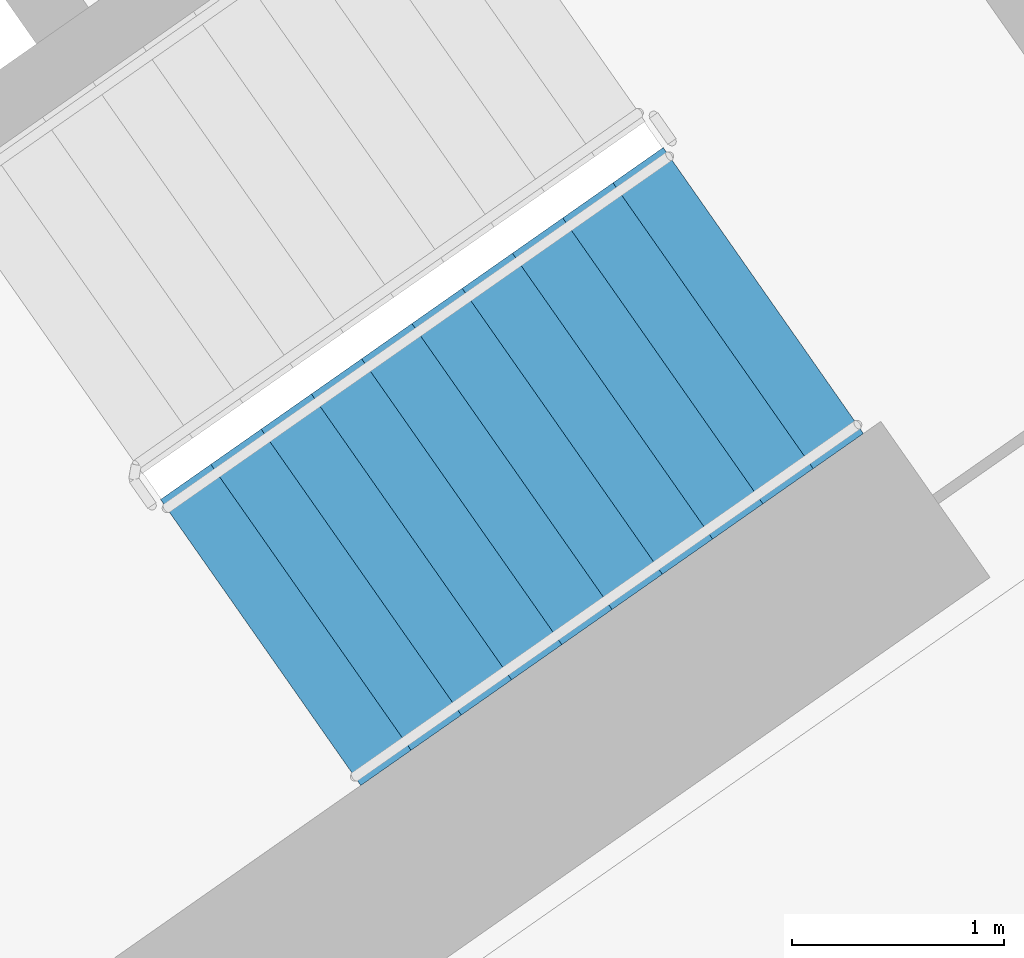
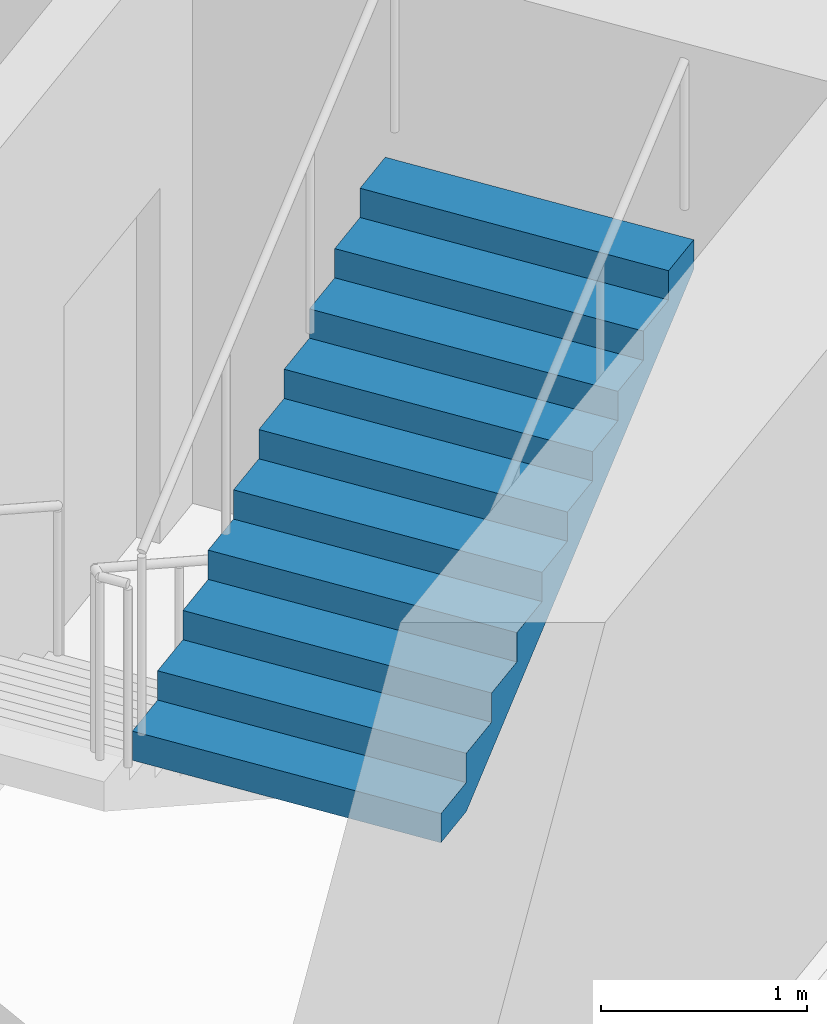
# One storey, part 16 of 29: 1 stair flight, 1 element without a shape of its own.
"""IFC4 building model written with IfcOpenShell, lengths in metres."""

from ifc_helpers import new_model, si_unit, direction, frame, origin, place, context, subcontext, project, spatial, faceted_brep, material, type_object, element, aggregate, save


model = new_model("IFC4")

# Units and contexts
model_context = context("Model", 3, precision=1e-05, world=origin(), true_north=direction((0.0, 1.0)))
body_context = subcontext(model_context, "Body", "Model", "MODEL_VIEW")
ifc_project = project(units=[si_unit("LENGTHUNIT", "METRE"), si_unit("AREAUNIT", "SQUARE_METRE"), si_unit("VOLUMEUNIT", "CUBIC_METRE"), si_unit("PLANEANGLEUNIT", "RADIAN"), si_unit("MASSUNIT", "GRAM", prefix="KILO")], contexts=[model_context])

# Site, building, storey
site_placement = place(None, origin())
site = spatial("IfcSite", under=ifc_project, at=site_placement, CompositionType="ELEMENT")
building_placement = place(site_placement, origin())
building = spatial("IfcBuilding", under=site, at=building_placement, Name="Qamariyya Broadcast Tower", CompositionType="ELEMENT")
storey_placement = place(building_placement, frame((0.0, 0.0, 113.89990234375)))
storey = spatial("IfcBuildingStorey", under=building, at=storey_placement, Name="L25", CompositionType="ELEMENT", Elevation=113.89990234375)

# Stair, stair flight
ifc_material = material(Name="Concrete C50/60", Category="concrete")
stair_type = type_object("IfcStairType", Name="Exit stair 22 risers of 173 mm", PredefinedType="HALF_TURN_STAIR", material=ifc_material)
stair_placement = place(storey_placement, origin())
stair = element("IfcStair", 1, at=stair_placement, inside=storey, type_object=stair_type, Name="L25 Stair E1", PredefinedType="HALF_TURN_STAIR")
stair_flight_type = type_object("IfcStairFlightType", Name="Exit stair flight 11 risers of 173 mm", PredefinedType="STRAIGHT", material=ifc_material)
stair_flight_placement = place(storey_placement, frame((44.693359375, -58.64599609375, 1.900146484375), z_axis=(0.0, 0.0, 1.0), x_axis=(0.819152044289, 0.573576436351, 0.0)))
stair_flight = element("IfcStairFlight", 2, at=stair_flight_placement, type_object=stair_flight_type, Name="ST-E1 flight 2", NumberOfRisers=11, NumberOfTreads=10, PredefinedType="STRAIGHT", RiserHeight=0.172727273, TreadLength=0.29, context=body_context, shape_type="Brep", body=[
    faceted_brep([(0.0, 0.824951171875, 0.0), (0.0, 0.824951171875, 0.172607421875), (0.2900390625, 0.824951171875, 0.172607421875), (0.2900390625, 0.824951171875, 0.345458984375), (0.580078125, 0.824951171875, 0.345458984375), (0.580078125, 0.824951171875, 0.51806640625), (0.8701171875, 0.824951171875, 0.51806640625), (0.8701171875, 0.824951171875, 0.69091796875), (1.159912109375, 0.824951171875, 0.69091796875), (1.159912109375, 0.824951171875, 0.863525390625), (1.449951171875, 0.824951171875, 0.863525390625), (1.449951171875, 0.824951171875, 1.036376953125), (1.739990234375, 0.824951171875, 1.036376953125), (1.739990234375, 0.824951171875, 1.208984375), (2.030029296875, 0.824951171875, 1.208984375), (2.030029296875, 0.824951171875, 1.3818359375), (2.320068359375, 0.824951171875, 1.3818359375), (2.320068359375, 0.824951171875, 1.554443359375), (2.610107421875, 0.824951171875, 1.554443359375), (2.610107421875, 0.824951171875, 1.727294921875), (2.89990234375, 0.824951171875, 1.727294921875), (2.89990234375, 0.824951171875, 1.552734375), (0.29296875, 0.824951171875, 0.0), (0.29296875, -0.824951171875, 0.0), (2.89990234375, -0.824951171875, 1.552734375), (2.89990234375, -0.824951171875, 1.727294921875), (2.610107421875, -0.824951171875, 1.727294921875), (2.610107421875, -0.824951171875, 1.554443359375), (2.320068359375, -0.824951171875, 1.554443359375), (2.320068359375, -0.824951171875, 1.3818359375), (2.030029296875, -0.824951171875, 1.3818359375), (2.030029296875, -0.824951171875, 1.208984375), (1.739990234375, -0.824951171875, 1.208984375), (1.739990234375, -0.824951171875, 1.036376953125), (1.449951171875, -0.824951171875, 1.036376953125), (1.449951171875, -0.824951171875, 0.863525390625), (1.159912109375, -0.824951171875, 0.863525390625), (1.159912109375, -0.824951171875, 0.69091796875), (0.8701171875, -0.824951171875, 0.69091796875), (0.8701171875, -0.824951171875, 0.51806640625), (0.580078125, -0.824951171875, 0.51806640625), (0.580078125, -0.824951171875, 0.345458984375), (0.2900390625, -0.824951171875, 0.345458984375), (0.2900390625, -0.824951171875, 0.172607421875), (0.0, -0.824951171875, 0.172607421875), (0.0, -0.824951171875, 0.0), (0.0, 0.10009765625, 0.0), (0.0, 0.086669921875, 0.0), (0.0, 0.0732421875, 0.0), (0.0, 0.06005859375, 0.0), (0.0, 0.046630859375, 0.0), (0.0, 0.033447265625, 0.0), (0.0, 0.02001953125, 0.0), (0.0, 0.006591796875, 0.0), (0.0, -0.006591796875, 0.0), (0.0, -0.02001953125, 0.0), (0.0, -0.033447265625, 0.0), (0.0, -0.046630859375, 0.0), (0.0, -0.06005859375, 0.0), (0.0, -0.0732421875, 0.0), (0.0, -0.086669921875, 0.0), (0.0, -0.10009765625, 0.0), (0.0, -0.10009765625, 0.172607421875), (0.0, -0.086669921875, 0.172607421875), (0.0, -0.0732421875, 0.172607421875), (0.0, -0.06005859375, 0.172607421875), (0.0, -0.046630859375, 0.172607421875), (0.0, -0.033447265625, 0.172607421875), (0.0, -0.02001953125, 0.172607421875), (0.0, -0.006591796875, 0.172607421875), (0.0, 0.006591796875, 0.172607421875), (0.0, 0.02001953125, 0.172607421875), (0.0, 0.033447265625, 0.172607421875), (0.0, 0.046630859375, 0.172607421875), (0.0, 0.06005859375, 0.172607421875), (0.0, 0.0732421875, 0.172607421875), (0.0, 0.086669921875, 0.172607421875), (0.0, 0.10009765625, 0.172607421875), (0.2900390625, -0.10009765625, 0.172607421875), (0.2900390625, -0.086669921875, 0.172607421875), (0.2900390625, -0.0732421875, 0.172607421875), (0.2900390625, -0.06005859375, 0.172607421875), (0.2900390625, -0.046630859375, 0.172607421875), (0.2900390625, -0.033447265625, 0.172607421875), (0.2900390625, -0.02001953125, 0.172607421875), (0.2900390625, -0.006591796875, 0.172607421875), (0.2900390625, 0.006591796875, 0.172607421875), (0.2900390625, 0.02001953125, 0.172607421875), (0.2900390625, 0.033447265625, 0.172607421875), (0.2900390625, 0.046630859375, 0.172607421875), (0.2900390625, 0.06005859375, 0.172607421875), (0.2900390625, 0.0732421875, 0.172607421875), (0.2900390625, 0.086669921875, 0.172607421875), (0.2900390625, 0.10009765625, 0.172607421875), (0.2900390625, -0.10009765625, 0.345458984375), (0.2900390625, -0.086669921875, 0.345458984375), (0.2900390625, -0.0732421875, 0.345458984375), (0.2900390625, -0.06005859375, 0.345458984375), (0.2900390625, -0.046630859375, 0.345458984375), (0.2900390625, -0.033447265625, 0.345458984375), (0.2900390625, -0.02001953125, 0.345458984375), (0.2900390625, -0.006591796875, 0.345458984375), (0.2900390625, 0.006591796875, 0.345458984375), (0.2900390625, 0.02001953125, 0.345458984375), (0.2900390625, 0.033447265625, 0.345458984375), (0.2900390625, 0.046630859375, 0.345458984375), (0.2900390625, 0.06005859375, 0.345458984375), (0.2900390625, 0.0732421875, 0.345458984375), (0.2900390625, 0.086669921875, 0.345458984375), (0.2900390625, 0.10009765625, 0.345458984375), (0.580078125, -0.10009765625, 0.345458984375), (0.580078125, -0.086669921875, 0.345458984375), (0.580078125, -0.0732421875, 0.345458984375), (0.580078125, -0.06005859375, 0.345458984375), (0.580078125, -0.046630859375, 0.345458984375), (0.580078125, -0.033447265625, 0.345458984375), (0.580078125, -0.02001953125, 0.345458984375), (0.580078125, -0.006591796875, 0.345458984375), (0.580078125, 0.006591796875, 0.345458984375), (0.580078125, 0.02001953125, 0.345458984375), (0.580078125, 0.033447265625, 0.345458984375), (0.580078125, 0.046630859375, 0.345458984375), (0.580078125, 0.06005859375, 0.345458984375), (0.580078125, 0.0732421875, 0.345458984375), (0.580078125, 0.086669921875, 0.345458984375), (0.580078125, 0.10009765625, 0.345458984375), (0.580078125, -0.10009765625, 0.51806640625), (0.580078125, -0.086669921875, 0.51806640625), (0.580078125, -0.0732421875, 0.51806640625), (0.580078125, -0.06005859375, 0.51806640625), (0.580078125, -0.046630859375, 0.51806640625), (0.580078125, -0.033447265625, 0.51806640625), (0.580078125, -0.02001953125, 0.51806640625), (0.580078125, -0.006591796875, 0.51806640625), (0.580078125, 0.006591796875, 0.51806640625), (0.580078125, 0.02001953125, 0.51806640625), (0.580078125, 0.033447265625, 0.51806640625), (0.580078125, 0.046630859375, 0.51806640625), (0.580078125, 0.06005859375, 0.51806640625), (0.580078125, 0.0732421875, 0.51806640625), (0.580078125, 0.086669921875, 0.51806640625), (0.580078125, 0.10009765625, 0.51806640625), (0.8701171875, -0.10009765625, 0.51806640625), (0.8701171875, -0.086669921875, 0.51806640625), (0.8701171875, -0.0732421875, 0.51806640625), (0.8701171875, -0.06005859375, 0.51806640625), (0.8701171875, -0.046630859375, 0.51806640625), (0.8701171875, -0.033447265625, 0.51806640625), (0.8701171875, -0.02001953125, 0.51806640625), (0.8701171875, -0.006591796875, 0.51806640625), (0.8701171875, 0.006591796875, 0.51806640625), (0.8701171875, 0.02001953125, 0.51806640625), (0.8701171875, 0.033447265625, 0.51806640625), (0.8701171875, 0.046630859375, 0.51806640625), (0.8701171875, 0.06005859375, 0.51806640625), (0.8701171875, 0.0732421875, 0.51806640625), (0.8701171875, 0.086669921875, 0.51806640625), (0.8701171875, 0.10009765625, 0.51806640625), (0.8701171875, -0.10009765625, 0.69091796875), (0.8701171875, -0.086669921875, 0.69091796875), (0.8701171875, -0.0732421875, 0.69091796875), (0.8701171875, -0.06005859375, 0.69091796875), (0.8701171875, -0.046630859375, 0.69091796875), (0.8701171875, -0.033447265625, 0.69091796875), (0.8701171875, -0.02001953125, 0.69091796875), (0.8701171875, -0.006591796875, 0.69091796875), (0.8701171875, 0.006591796875, 0.69091796875), (0.8701171875, 0.02001953125, 0.69091796875), (0.8701171875, 0.033447265625, 0.69091796875), (0.8701171875, 0.046630859375, 0.69091796875), (0.8701171875, 0.06005859375, 0.69091796875), (0.8701171875, 0.0732421875, 0.69091796875), (0.8701171875, 0.086669921875, 0.69091796875), (0.8701171875, 0.10009765625, 0.69091796875), (1.159912109375, -0.10009765625, 0.69091796875), (1.159912109375, -0.086669921875, 0.69091796875), (1.159912109375, -0.0732421875, 0.69091796875), (1.159912109375, -0.06005859375, 0.69091796875), (1.159912109375, -0.046630859375, 0.69091796875), (1.159912109375, -0.033447265625, 0.69091796875), (1.159912109375, -0.02001953125, 0.69091796875), (1.159912109375, -0.006591796875, 0.69091796875), (1.159912109375, 0.006591796875, 0.69091796875), (1.159912109375, 0.02001953125, 0.69091796875), (1.159912109375, 0.033447265625, 0.69091796875), (1.159912109375, 0.046630859375, 0.69091796875), (1.159912109375, 0.06005859375, 0.69091796875), (1.159912109375, 0.0732421875, 0.69091796875), (1.159912109375, 0.086669921875, 0.69091796875), (1.159912109375, 0.10009765625, 0.69091796875), (1.159912109375, -0.10009765625, 0.863525390625), (1.159912109375, -0.086669921875, 0.863525390625), (1.159912109375, -0.0732421875, 0.863525390625), (1.159912109375, -0.06005859375, 0.863525390625), (1.159912109375, -0.046630859375, 0.863525390625), (1.159912109375, -0.033447265625, 0.863525390625), (1.159912109375, -0.02001953125, 0.863525390625), (1.159912109375, -0.006591796875, 0.863525390625), (1.159912109375, 0.006591796875, 0.863525390625), (1.159912109375, 0.02001953125, 0.863525390625), (1.159912109375, 0.033447265625, 0.863525390625), (1.159912109375, 0.046630859375, 0.863525390625), (1.159912109375, 0.06005859375, 0.863525390625), (1.159912109375, 0.0732421875, 0.863525390625), (1.159912109375, 0.086669921875, 0.863525390625), (1.159912109375, 0.10009765625, 0.863525390625), (1.449951171875, -0.10009765625, 0.863525390625), (1.449951171875, -0.086669921875, 0.863525390625), (1.449951171875, -0.0732421875, 0.863525390625), (1.449951171875, -0.06005859375, 0.863525390625), (1.449951171875, -0.046630859375, 0.863525390625), (1.449951171875, -0.033447265625, 0.863525390625), (1.449951171875, -0.02001953125, 0.863525390625), (1.449951171875, -0.006591796875, 0.863525390625), (1.449951171875, 0.006591796875, 0.863525390625), (1.449951171875, 0.02001953125, 0.863525390625), (1.449951171875, 0.033447265625, 0.863525390625), (1.449951171875, 0.046630859375, 0.863525390625), (1.449951171875, 0.06005859375, 0.863525390625), (1.449951171875, 0.0732421875, 0.863525390625), (1.449951171875, 0.086669921875, 0.863525390625), (1.449951171875, 0.10009765625, 0.863525390625), (1.449951171875, -0.10009765625, 1.036376953125), (1.449951171875, -0.086669921875, 1.036376953125), (1.449951171875, -0.0732421875, 1.036376953125), (1.449951171875, -0.06005859375, 1.036376953125), (1.449951171875, -0.046630859375, 1.036376953125), (1.449951171875, -0.033447265625, 1.036376953125), (1.449951171875, -0.02001953125, 1.036376953125), (1.449951171875, -0.006591796875, 1.036376953125), (1.449951171875, 0.006591796875, 1.036376953125), (1.449951171875, 0.02001953125, 1.036376953125), (1.449951171875, 0.033447265625, 1.036376953125), (1.449951171875, 0.046630859375, 1.036376953125), (1.449951171875, 0.06005859375, 1.036376953125), (1.449951171875, 0.0732421875, 1.036376953125), (1.449951171875, 0.086669921875, 1.036376953125), (1.449951171875, 0.10009765625, 1.036376953125), (1.739990234375, -0.10009765625, 1.036376953125), (1.739990234375, -0.086669921875, 1.036376953125), (1.739990234375, -0.0732421875, 1.036376953125), (1.739990234375, -0.06005859375, 1.036376953125), (1.739990234375, -0.046630859375, 1.036376953125), (1.739990234375, -0.033447265625, 1.036376953125), (1.739990234375, -0.02001953125, 1.036376953125), (1.739990234375, -0.006591796875, 1.036376953125), (1.739990234375, 0.006591796875, 1.036376953125), (1.739990234375, 0.02001953125, 1.036376953125), (1.739990234375, 0.033447265625, 1.036376953125), (1.739990234375, 0.046630859375, 1.036376953125), (1.739990234375, 0.06005859375, 1.036376953125), (1.739990234375, 0.0732421875, 1.036376953125), (1.739990234375, 0.086669921875, 1.036376953125), (1.739990234375, 0.10009765625, 1.036376953125), (1.739990234375, -0.10009765625, 1.208984375), (1.739990234375, -0.086669921875, 1.208984375), (1.739990234375, -0.0732421875, 1.208984375), (1.739990234375, -0.06005859375, 1.208984375), (1.739990234375, -0.046630859375, 1.208984375), (1.739990234375, -0.033447265625, 1.208984375), (1.739990234375, -0.02001953125, 1.208984375), (1.739990234375, -0.006591796875, 1.208984375), (1.739990234375, 0.006591796875, 1.208984375), (1.739990234375, 0.02001953125, 1.208984375), (1.739990234375, 0.033447265625, 1.208984375), (1.739990234375, 0.046630859375, 1.208984375), (1.739990234375, 0.06005859375, 1.208984375), (1.739990234375, 0.0732421875, 1.208984375), (1.739990234375, 0.086669921875, 1.208984375), (1.739990234375, 0.10009765625, 1.208984375), (2.030029296875, -0.10009765625, 1.208984375), (2.030029296875, -0.086669921875, 1.208984375), (2.030029296875, -0.0732421875, 1.208984375), (2.030029296875, -0.06005859375, 1.208984375), (2.030029296875, -0.046630859375, 1.208984375), (2.030029296875, -0.033447265625, 1.208984375), (2.030029296875, -0.02001953125, 1.208984375), (2.030029296875, -0.006591796875, 1.208984375), (2.030029296875, 0.006591796875, 1.208984375), (2.030029296875, 0.02001953125, 1.208984375), (2.030029296875, 0.033447265625, 1.208984375), (2.030029296875, 0.046630859375, 1.208984375), (2.030029296875, 0.06005859375, 1.208984375), (2.030029296875, 0.0732421875, 1.208984375), (2.030029296875, 0.086669921875, 1.208984375), (2.030029296875, 0.10009765625, 1.208984375), (2.030029296875, -0.10009765625, 1.3818359375), (2.030029296875, -0.086669921875, 1.3818359375), (2.030029296875, -0.0732421875, 1.3818359375), (2.030029296875, -0.06005859375, 1.3818359375), (2.030029296875, -0.046630859375, 1.3818359375), (2.030029296875, -0.033447265625, 1.3818359375), (2.030029296875, -0.02001953125, 1.3818359375), (2.030029296875, -0.006591796875, 1.3818359375), (2.030029296875, 0.006591796875, 1.3818359375), (2.030029296875, 0.02001953125, 1.3818359375), (2.030029296875, 0.033447265625, 1.3818359375), (2.030029296875, 0.046630859375, 1.3818359375), (2.030029296875, 0.06005859375, 1.3818359375), (2.030029296875, 0.0732421875, 1.3818359375), (2.030029296875, 0.086669921875, 1.3818359375), (2.030029296875, 0.10009765625, 1.3818359375), (2.320068359375, -0.10009765625, 1.3818359375), (2.320068359375, -0.086669921875, 1.3818359375), (2.320068359375, -0.0732421875, 1.3818359375), (2.320068359375, -0.06005859375, 1.3818359375), (2.320068359375, -0.046630859375, 1.3818359375), (2.320068359375, -0.033447265625, 1.3818359375), (2.320068359375, -0.02001953125, 1.3818359375), (2.320068359375, -0.006591796875, 1.3818359375), (2.320068359375, 0.006591796875, 1.3818359375), (2.320068359375, 0.02001953125, 1.3818359375), (2.320068359375, 0.033447265625, 1.3818359375), (2.320068359375, 0.046630859375, 1.3818359375), (2.320068359375, 0.06005859375, 1.3818359375), (2.320068359375, 0.0732421875, 1.3818359375), (2.320068359375, 0.086669921875, 1.3818359375), (2.320068359375, 0.10009765625, 1.3818359375), (2.320068359375, -0.10009765625, 1.554443359375), (2.320068359375, -0.086669921875, 1.554443359375), (2.320068359375, -0.0732421875, 1.554443359375), (2.320068359375, -0.06005859375, 1.554443359375), (2.320068359375, -0.046630859375, 1.554443359375), (2.320068359375, -0.033447265625, 1.554443359375), (2.320068359375, -0.02001953125, 1.554443359375), (2.320068359375, -0.006591796875, 1.554443359375), (2.320068359375, 0.006591796875, 1.554443359375), (2.320068359375, 0.02001953125, 1.554443359375), (2.320068359375, 0.033447265625, 1.554443359375), (2.320068359375, 0.046630859375, 1.554443359375), (2.320068359375, 0.06005859375, 1.554443359375), (2.320068359375, 0.0732421875, 1.554443359375), (2.320068359375, 0.086669921875, 1.554443359375), (2.320068359375, 0.10009765625, 1.554443359375), (2.610107421875, -0.10009765625, 1.554443359375), (2.610107421875, -0.086669921875, 1.554443359375), (2.610107421875, -0.0732421875, 1.554443359375), (2.610107421875, -0.06005859375, 1.554443359375), (2.610107421875, -0.046630859375, 1.554443359375), (2.610107421875, -0.033447265625, 1.554443359375), (2.610107421875, -0.02001953125, 1.554443359375), (2.610107421875, -0.006591796875, 1.554443359375), (2.610107421875, 0.006591796875, 1.554443359375), (2.610107421875, 0.02001953125, 1.554443359375), (2.610107421875, 0.033447265625, 1.554443359375), (2.610107421875, 0.046630859375, 1.554443359375), (2.610107421875, 0.06005859375, 1.554443359375), (2.610107421875, 0.0732421875, 1.554443359375), (2.610107421875, 0.086669921875, 1.554443359375), (2.610107421875, 0.10009765625, 1.554443359375), (2.610107421875, -0.10009765625, 1.727294921875), (2.610107421875, -0.086669921875, 1.727294921875), (2.610107421875, -0.0732421875, 1.727294921875), (2.610107421875, -0.06005859375, 1.727294921875), (2.610107421875, -0.046630859375, 1.727294921875), (2.610107421875, -0.033447265625, 1.727294921875), (2.610107421875, -0.02001953125, 1.727294921875), (2.610107421875, -0.006591796875, 1.727294921875), (2.610107421875, 0.006591796875, 1.727294921875), (2.610107421875, 0.02001953125, 1.727294921875), (2.610107421875, 0.033447265625, 1.727294921875), (2.610107421875, 0.046630859375, 1.727294921875), (2.610107421875, 0.06005859375, 1.727294921875), (2.610107421875, 0.0732421875, 1.727294921875), (2.610107421875, 0.086669921875, 1.727294921875), (2.610107421875, 0.10009765625, 1.727294921875), (2.89990234375, -0.10009765625, 1.727294921875), (2.89990234375, -0.086669921875, 1.727294921875), (2.89990234375, -0.0732421875, 1.727294921875), (2.89990234375, -0.06005859375, 1.727294921875), (2.89990234375, -0.046630859375, 1.727294921875), (2.89990234375, -0.033447265625, 1.727294921875), (2.89990234375, -0.02001953125, 1.727294921875), (2.89990234375, -0.006591796875, 1.727294921875), (2.89990234375, 0.006591796875, 1.727294921875), (2.89990234375, 0.02001953125, 1.727294921875), (2.89990234375, 0.033447265625, 1.727294921875), (2.89990234375, 0.046630859375, 1.727294921875), (2.89990234375, 0.06005859375, 1.727294921875), (2.89990234375, 0.0732421875, 1.727294921875), (2.89990234375, 0.086669921875, 1.727294921875), (2.89990234375, 0.10009765625, 1.727294921875), (2.89990234375, -0.10009765625, 1.552734375), (2.89990234375, -0.086669921875, 1.552734375), (2.89990234375, -0.0732421875, 1.552734375), (2.89990234375, -0.06005859375, 1.552734375), (2.89990234375, -0.046630859375, 1.552734375), (2.89990234375, -0.033447265625, 1.552734375), (2.89990234375, -0.02001953125, 1.552734375), (2.89990234375, -0.006591796875, 1.552734375), (2.89990234375, 0.006591796875, 1.552734375), (2.89990234375, 0.02001953125, 1.552734375), (2.89990234375, 0.033447265625, 1.552734375), (2.89990234375, 0.046630859375, 1.552734375), (2.89990234375, 0.06005859375, 1.552734375), (2.89990234375, 0.0732421875, 1.552734375), (2.89990234375, 0.086669921875, 1.552734375), (2.89990234375, 0.10009765625, 1.552734375), (0.29296875, -0.10009765625, 0.0), (0.29296875, -0.086669921875, 0.0), (0.29296875, -0.0732421875, 0.0), (0.29296875, -0.06005859375, 0.0), (0.29296875, -0.046630859375, 0.0), (0.29296875, -0.033447265625, 0.0), (0.29296875, -0.02001953125, 0.0), (0.29296875, -0.006591796875, 0.0), (0.29296875, 0.006591796875, 0.0), (0.29296875, 0.02001953125, 0.0), (0.29296875, 0.033447265625, 0.0), (0.29296875, 0.046630859375, 0.0), (0.29296875, 0.06005859375, 0.0), (0.29296875, 0.0732421875, 0.0), (0.29296875, 0.086669921875, 0.0), (0.29296875, 0.10009765625, 0.0)], [[[0, 1, 2, 3, 4, 5, 6, 7, 8, 9, 10, 11, 12, 13, 14, 15, 16, 17, 18, 19, 20, 21, 22]], [[23, 24, 25, 26, 27, 28, 29, 30, 31, 32, 33, 34, 35, 36, 37, 38, 39, 40, 41, 42, 43, 44, 45]], [[0, 46, 47, 48, 49, 50, 51, 52, 53, 54, 55, 56, 57, 58, 59, 60, 61, 45, 44, 62, 63, 64, 65, 66, 67, 68, 69, 70, 71, 72, 73, 74, 75, 76, 77, 1]], [[1, 77, 76, 75, 74, 73, 72, 71, 70, 69, 68, 67, 66, 65, 64, 63, 62, 44, 43, 78, 79, 80, 81, 82, 83, 84, 85, 86, 87, 88, 89, 90, 91, 92, 93, 2]], [[2, 93, 92, 91, 90, 89, 88, 87, 86, 85, 84, 83, 82, 81, 80, 79, 78, 43, 42, 94, 95, 96, 97, 98, 99, 100, 101, 102, 103, 104, 105, 106, 107, 108, 109, 3]], [[3, 109, 108, 107, 106, 105, 104, 103, 102, 101, 100, 99, 98, 97, 96, 95, 94, 42, 41, 110, 111, 112, 113, 114, 115, 116, 117, 118, 119, 120, 121, 122, 123, 124, 125, 4]], [[4, 125, 124, 123, 122, 121, 120, 119, 118, 117, 116, 115, 114, 113, 112, 111, 110, 41, 40, 126, 127, 128, 129, 130, 131, 132, 133, 134, 135, 136, 137, 138, 139, 140, 141, 5]], [[5, 141, 140, 139, 138, 137, 136, 135, 134, 133, 132, 131, 130, 129, 128, 127, 126, 40, 39, 142, 143, 144, 145, 146, 147, 148, 149, 150, 151, 152, 153, 154, 155, 156, 157, 6]], [[6, 157, 156, 155, 154, 153, 152, 151, 150, 149, 148, 147, 146, 145, 144, 143, 142, 39, 38, 158, 159, 160, 161, 162, 163, 164, 165, 166, 167, 168, 169, 170, 171, 172, 173, 7]], [[7, 173, 172, 171, 170, 169, 168, 167, 166, 165, 164, 163, 162, 161, 160, 159, 158, 38, 37, 174, 175, 176, 177, 178, 179, 180, 181, 182, 183, 184, 185, 186, 187, 188, 189, 8]], [[8, 189, 188, 187, 186, 185, 184, 183, 182, 181, 180, 179, 178, 177, 176, 175, 174, 37, 36, 190, 191, 192, 193, 194, 195, 196, 197, 198, 199, 200, 201, 202, 203, 204, 205, 9]], [[9, 205, 204, 203, 202, 201, 200, 199, 198, 197, 196, 195, 194, 193, 192, 191, 190, 36, 35, 206, 207, 208, 209, 210, 211, 212, 213, 214, 215, 216, 217, 218, 219, 220, 221, 10]], [[10, 221, 220, 219, 218, 217, 216, 215, 214, 213, 212, 211, 210, 209, 208, 207, 206, 35, 34, 222, 223, 224, 225, 226, 227, 228, 229, 230, 231, 232, 233, 234, 235, 236, 237, 11]], [[11, 237, 236, 235, 234, 233, 232, 231, 230, 229, 228, 227, 226, 225, 224, 223, 222, 34, 33, 238, 239, 240, 241, 242, 243, 244, 245, 246, 247, 248, 249, 250, 251, 252, 253, 12]], [[12, 253, 252, 251, 250, 249, 248, 247, 246, 245, 244, 243, 242, 241, 240, 239, 238, 33, 32, 254, 255, 256, 257, 258, 259, 260, 261, 262, 263, 264, 265, 266, 267, 268, 269, 13]], [[13, 269, 268, 267, 266, 265, 264, 263, 262, 261, 260, 259, 258, 257, 256, 255, 254, 32, 31, 270, 271, 272, 273, 274, 275, 276, 277, 278, 279, 280, 281, 282, 283, 284, 285, 14]], [[14, 285, 284, 283, 282, 281, 280, 279, 278, 277, 276, 275, 274, 273, 272, 271, 270, 31, 30, 286, 287, 288, 289, 290, 291, 292, 293, 294, 295, 296, 297, 298, 299, 300, 301, 15]], [[15, 301, 300, 299, 298, 297, 296, 295, 294, 293, 292, 291, 290, 289, 288, 287, 286, 30, 29, 302, 303, 304, 305, 306, 307, 308, 309, 310, 311, 312, 313, 314, 315, 316, 317, 16]], [[16, 317, 316, 315, 314, 313, 312, 311, 310, 309, 308, 307, 306, 305, 304, 303, 302, 29, 28, 318, 319, 320, 321, 322, 323, 324, 325, 326, 327, 328, 329, 330, 331, 332, 333, 17]], [[17, 333, 332, 331, 330, 329, 328, 327, 326, 325, 324, 323, 322, 321, 320, 319, 318, 28, 27, 334, 335, 336, 337, 338, 339, 340, 341, 342, 343, 344, 345, 346, 347, 348, 349, 18]], [[18, 349, 348, 347, 346, 345, 344, 343, 342, 341, 340, 339, 338, 337, 336, 335, 334, 27, 26, 350, 351, 352, 353, 354, 355, 356, 357, 358, 359, 360, 361, 362, 363, 364, 365, 19]], [[19, 365, 364, 363, 362, 361, 360, 359, 358, 357, 356, 355, 354, 353, 352, 351, 350, 26, 25, 366, 367, 368, 369, 370, 371, 372, 373, 374, 375, 376, 377, 378, 379, 380, 381, 20]], [[20, 381, 380, 379, 378, 377, 376, 375, 374, 373, 372, 371, 370, 369, 368, 367, 366, 25, 24, 382, 383, 384, 385, 386, 387, 388, 389, 390, 391, 392, 393, 394, 395, 396, 397, 21]], [[21, 397, 396, 395, 394, 393, 392, 391, 390, 389, 388, 387, 386, 385, 384, 383, 382, 24, 23, 398, 399, 400, 401, 402, 403, 404, 405, 406, 407, 408, 409, 410, 411, 412, 413, 22]], [[22, 413, 412, 411, 410, 409, 408, 407, 406, 405, 404, 403, 402, 401, 400, 399, 398, 23, 45, 61, 60, 59, 58, 57, 56, 55, 54, 53, 52, 51, 50, 49, 48, 47, 46, 0]]]),
])
aggregate(stair, [stair_flight])

save(model, "model.ifc")
